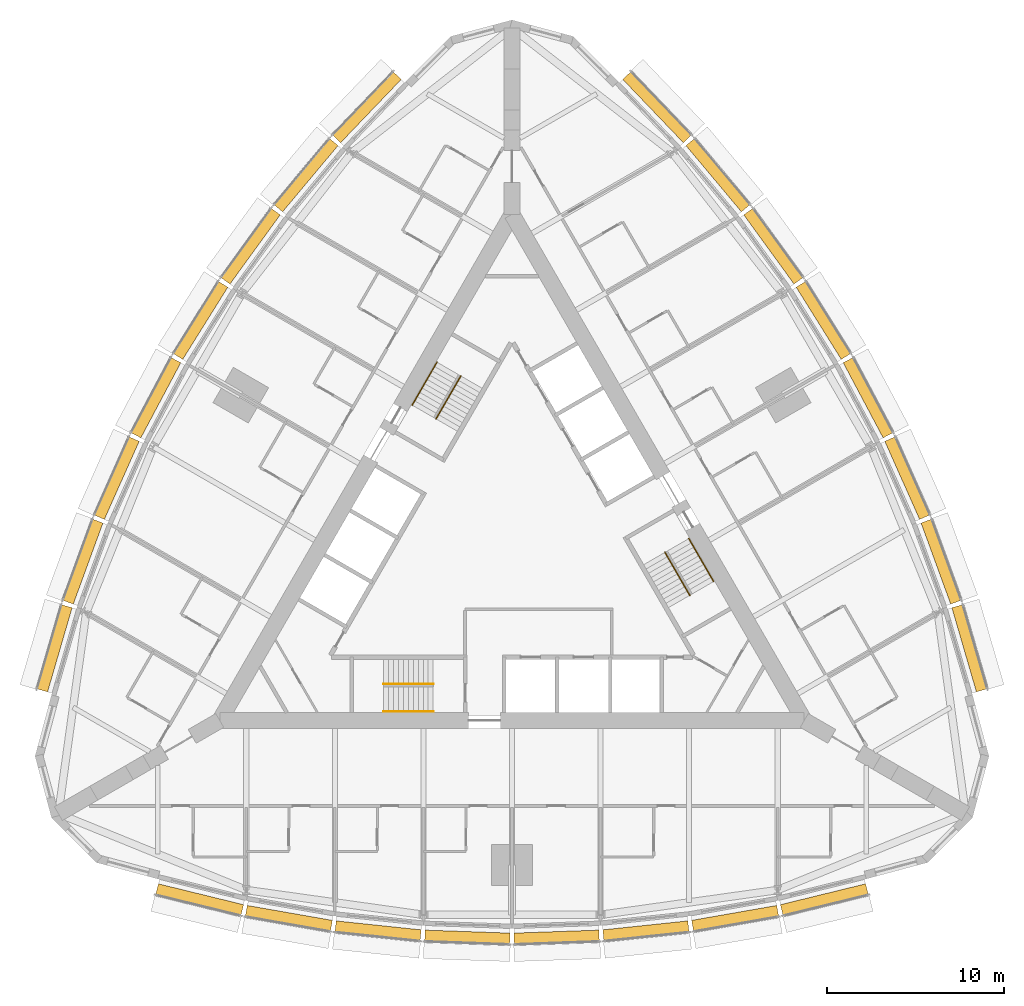
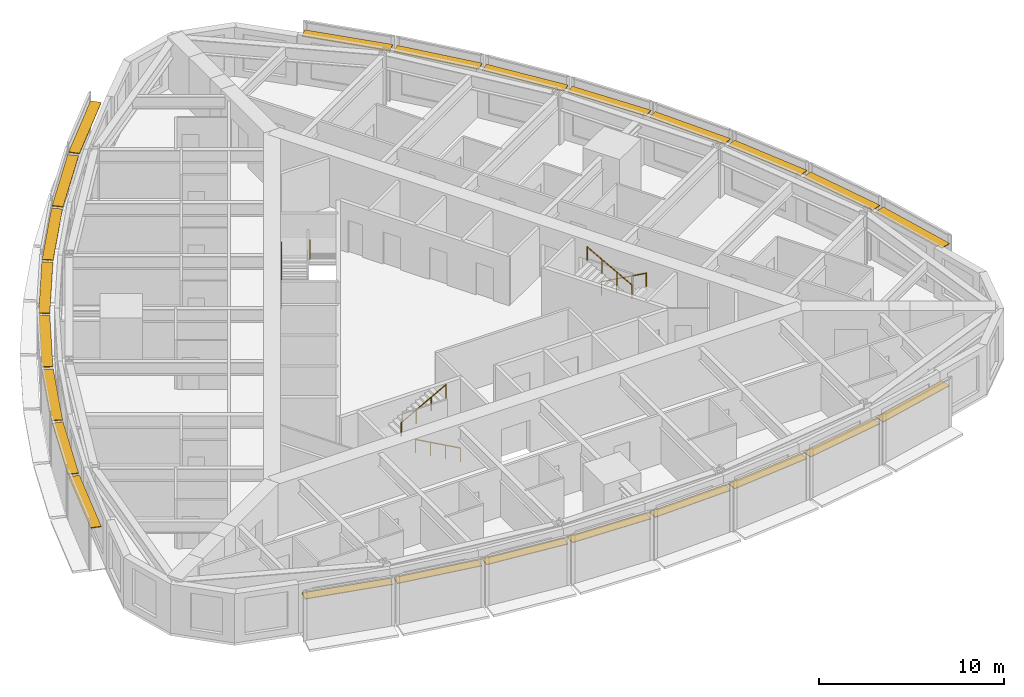
# One storey, part 14 of 14: 24 shading devices, 6 railings.
"""IFC4 building model written with IfcOpenShell, lengths in metres."""

from ifc_helpers import new_model, si_unit, direction, frame, origin, origin_2d, place, context, subcontext, project, spatial, rectangle, circle, extrude, material, type_object, element, save


model = new_model("IFC4")

# Units and contexts
model_context = context("Model", 3, precision=1e-05, world=origin(), true_north=direction((0.0, 1.0)))
body_context = subcontext(model_context, "Body", "Model", "MODEL_VIEW")
ifc_project = project(units=[si_unit("LENGTHUNIT", "METRE"), si_unit("AREAUNIT", "SQUARE_METRE"), si_unit("VOLUMEUNIT", "CUBIC_METRE"), si_unit("PLANEANGLEUNIT", "RADIAN"), si_unit("MASSUNIT", "GRAM", prefix="KILO")], contexts=[model_context])

# Site, building, storey
site_placement = place(None, origin())
site = spatial("IfcSite", under=ifc_project, at=site_placement, CompositionType="ELEMENT")
building_placement = place(site_placement, origin())
building = spatial("IfcBuilding", under=site, at=building_placement, Name="Trikona Tower", CompositionType="ELEMENT")
storey_placement = place(building_placement, frame((0.0, 0.0, 118.10009765625)))
storey = spatial("IfcBuildingStorey", under=building, at=storey_placement, Name="L30", CompositionType="ELEMENT", Elevation=118.10009765625)

# Shading devices
ifc_material_1 = material(Name="Aluminium louvre blade, pale anodised", Category="aluminium")
shading_device_type = type_object("IfcShadingDeviceType", Name="Cavity louvre 600", PredefinedType="USERDEFINED", material=ifc_material_1)
shading_device_1_placement = place(storey_placement, frame((-17.63330078125, -19.631591796875, 2.77490234375), z_axis=(0.0, 0.0, 1.0), x_axis=(0.971274411564, -0.237962218516, 0.0)))
element("IfcShadingDevice", 1, at=shading_device_1_placement, inside=storey, type_object=shading_device_type, Name="Cavity louvre L30-00", ObjectType="LOUVRE", PredefinedType="USERDEFINED", context=body_context, shape_type="SweptSolid", body=[
    extrude(rectangle(XDim=4.947998046875, YDim=0.60009765625, at=origin_2d()), origin(), (0.0, 0.0, 1.0), 0.050048828125),
])
shading_device_2_placement = place(storey_placement, frame((-12.596435546875, -20.689208984375, 2.77490234375), z_axis=(0.0, 0.0, 1.0), x_axis=(0.985030604067, -0.172379549401, 0.0)))
element("IfcShadingDevice", 2, at=shading_device_2_placement, inside=storey, type_object=shading_device_type, Name="Cavity louvre L30-01", ObjectType="LOUVRE", PredefinedType="USERDEFINED", context=body_context, shape_type="SweptSolid", body=[
    extrude(rectangle(XDim=4.8759765625, YDim=0.60009765625, at=origin_2d()), origin(), (0.0, 0.0, 1.0), 0.050048828125),
])
shading_device_3_placement = place(storey_placement, frame((-7.55859375, -21.39453125, 2.77490234375), z_axis=(0.0, 0.0, 1.0), x_axis=(0.994532653854, -0.104426052392, 0.0)))
element("IfcShadingDevice", 3, at=shading_device_3_placement, inside=storey, type_object=shading_device_type, Name="Cavity louvre L30-02", ObjectType="LOUVRE", PredefinedType="USERDEFINED", context=body_context, shape_type="SweptSolid", body=[
    extrude(rectangle(XDim=4.827392578125, YDim=0.60009765625, at=origin_2d()), origin(), (0.0, 0.0, 1.0), 0.050048828125),
])
for number, where, z_axis, x_axis, name in (
    (4, (-2.51953125, -21.747314453125, 2.77490234375), (0.0, 0.0, 1.0), (0.999388082937, -0.034977988567, 0.0), "Cavity louvre L30-03"),
    (5, (2.51953125, -21.747314453125, 2.77490234375), (0.0, 0.0, 1.0), (0.999388082937, 0.034977988567, 0.0), "Cavity louvre L30-04"),
):
    element("IfcShadingDevice", number, at=place(storey_placement, frame(where, z_axis=z_axis, x_axis=x_axis)), inside=storey, type_object=shading_device_type, Name=name, ObjectType="LOUVRE", PredefinedType="USERDEFINED", context=body_context, shape_type="SweptSolid", body=[
        extrude(rectangle(XDim=4.802978515625, YDim=0.60009765625, at=origin_2d()), origin(), (0.0, 0.0, 1.0), 0.050048828125),
    ])
shading_device_4_placement = place(storey_placement, frame((7.55859375, -21.39453125, 2.77490234375), z_axis=(0.0, 0.0, 1.0), x_axis=(0.994532653854, 0.104426052392, 0.0)))
element("IfcShadingDevice", 6, at=shading_device_4_placement, inside=storey, type_object=shading_device_type, Name="Cavity louvre L30-05", ObjectType="LOUVRE", PredefinedType="USERDEFINED", context=body_context, shape_type="SweptSolid", body=[
    extrude(rectangle(XDim=4.827392578125, YDim=0.60009765625, at=origin_2d()), origin(), (0.0, 0.0, 1.0), 0.050048828125),
])
shading_device_5_placement = place(storey_placement, frame((12.596435546875, -20.689208984375, 2.77490234375), z_axis=(0.0, 0.0, 1.0), x_axis=(0.985030604067, 0.172379549401, 0.0)))
element("IfcShadingDevice", 7, at=shading_device_5_placement, inside=storey, type_object=shading_device_type, Name="Cavity louvre L30-06", ObjectType="LOUVRE", PredefinedType="USERDEFINED", context=body_context, shape_type="SweptSolid", body=[
    extrude(rectangle(XDim=4.8759765625, YDim=0.60009765625, at=origin_2d()), origin(), (0.0, 0.0, 1.0), 0.050048828125),
])
shading_device_6_placement = place(storey_placement, frame((17.63330078125, -19.631591796875, 2.77490234375), z_axis=(0.0, 0.0, 1.0), x_axis=(0.971274411564, 0.237962218516, 0.0)))
element("IfcShadingDevice", 8, at=shading_device_6_placement, inside=storey, type_object=shading_device_type, Name="Cavity louvre L30-07", ObjectType="LOUVRE", PredefinedType="USERDEFINED", context=body_context, shape_type="SweptSolid", body=[
    extrude(rectangle(XDim=4.947998046875, YDim=0.60009765625, at=origin_2d()), origin(), (0.0, 0.0, 1.0), 0.050048828125),
])
shading_device_7_placement = place(storey_placement, frame((25.818115234375, -5.455078125, 2.77490234375), z_axis=(0.0, 0.0, 1.0), x_axis=(-0.279554203664, 0.960129911634, 0.0)))
element("IfcShadingDevice", 9, at=shading_device_7_placement, inside=storey, type_object=shading_device_type, Name="Cavity louvre L30-12", ObjectType="LOUVRE", PredefinedType="USERDEFINED", context=body_context, shape_type="SweptSolid", body=[
    extrude(rectangle(XDim=4.94775390625, YDim=0.60009765625, at=origin_2d()), origin(), (0.0, 0.0, 1.0), 0.050048828125),
])
shading_device_8_placement = place(storey_placement, frame((24.2158203125, -0.564208984375, 2.77490234375), z_axis=(0.0, 0.0, 1.0), x_axis=(-0.343220397324, 0.939254895575, 0.0)))
element("IfcShadingDevice", 10, at=shading_device_8_placement, inside=storey, type_object=shading_device_type, Name="Cavity louvre L30-13", ObjectType="LOUVRE", PredefinedType="USERDEFINED", context=body_context, shape_type="SweptSolid", body=[
    extrude(rectangle(XDim=4.8759765625, YDim=0.60009765625, at=origin_2d()), origin(), (0.0, 0.0, 1.0), 0.050048828125),
])
shading_device_9_placement = place(storey_placement, frame((22.3076171875, 4.151611328125, 2.77490234375), z_axis=(0.0, 0.0, 1.0), x_axis=(-0.406843467615, 0.913497888809, 0.0)))
element("IfcShadingDevice", 11, at=shading_device_9_placement, inside=storey, type_object=shading_device_type, Name="Cavity louvre L30-14", ObjectType="LOUVRE", PredefinedType="USERDEFINED", context=body_context, shape_type="SweptSolid", body=[
    extrude(rectangle(XDim=4.827392578125, YDim=0.60009765625, at=origin_2d()), origin(), (0.0, 0.0, 1.0), 0.050048828125),
])
for number, where, z_axis, x_axis, name in (
    (12, (20.093505859375, 8.691650390625, 2.77490234375), (0.0, 0.0, 1.0), (-0.469397591494, 0.882986920118, 0.0), "Cavity louvre L30-15"),
    (13, (17.573974609375, 13.0556640625, 2.77490234375), (0.0, 0.0, 1.0), (-0.529994748414, 0.848000923734, 0.0), "Cavity louvre L30-16"),
):
    element("IfcShadingDevice", number, at=place(storey_placement, frame(where, z_axis=z_axis, x_axis=x_axis)), inside=storey, type_object=shading_device_type, Name=name, ObjectType="LOUVRE", PredefinedType="USERDEFINED", context=body_context, shape_type="SweptSolid", body=[
        extrude(rectangle(XDim=4.802978515625, YDim=0.60009765625, at=origin_2d()), origin(), (0.0, 0.0, 1.0), 0.050048828125),
    ])
shading_device_10_placement = place(storey_placement, frame((14.7490234375, 17.2431640625, 2.77490234375), z_axis=(0.0, 0.0, 1.0), x_axis=(-0.587686407834, 0.809088799853, 0.0)))
element("IfcShadingDevice", 14, at=shading_device_10_placement, inside=storey, type_object=shading_device_type, Name="Cavity louvre L30-17", ObjectType="LOUVRE", PredefinedType="USERDEFINED", context=body_context, shape_type="SweptSolid", body=[
    extrude(rectangle(XDim=4.827392578125, YDim=0.60009765625, at=origin_2d()), origin(), (0.0, 0.0, 1.0), 0.050048828125),
])
shading_device_11_placement = place(storey_placement, frame((11.619140625, 21.253662109375, 2.77490234375), z_axis=(0.0, 0.0, 1.0), x_axis=(-0.641807063101, 0.766866151133, 0.0)))
element("IfcShadingDevice", 15, at=shading_device_11_placement, inside=storey, type_object=shading_device_type, Name="Cavity louvre L30-18", ObjectType="LOUVRE", PredefinedType="USERDEFINED", context=body_context, shape_type="SweptSolid", body=[
    extrude(rectangle(XDim=4.8759765625, YDim=0.60009765625, at=origin_2d()), origin(), (0.0, 0.0, 1.0), 0.050048828125),
])
for number, where, z_axis, x_axis, name in (
    (16, (8.184814453125, 25.086669921875, 2.77490234375), (0.0, 0.0, 1.0), (-0.691723573819, 0.722162376078, 0.0), "Cavity louvre L30-19"),
    (17, (-8.184814453125, 25.086669921875, 2.77490234375), (0.0, 0.0, 1.0), (-0.691723573819, -0.722162376078, 0.0), "Cavity louvre L30-24"),
):
    element("IfcShadingDevice", number, at=place(storey_placement, frame(where, z_axis=z_axis, x_axis=x_axis)), inside=storey, type_object=shading_device_type, Name=name, ObjectType="LOUVRE", PredefinedType="USERDEFINED", context=body_context, shape_type="SweptSolid", body=[
        extrude(rectangle(XDim=4.947998046875, YDim=0.60009765625, at=origin_2d()), origin(), (0.0, 0.0, 1.0), 0.050048828125),
    ])
shading_device_12_placement = place(storey_placement, frame((-11.619140625, 21.253662109375, 2.77490234375), z_axis=(0.0, 0.0, 1.0), x_axis=(-0.641807063101, -0.766866151133, 0.0)))
element("IfcShadingDevice", 18, at=shading_device_12_placement, inside=storey, type_object=shading_device_type, Name="Cavity louvre L30-25", ObjectType="LOUVRE", PredefinedType="USERDEFINED", context=body_context, shape_type="SweptSolid", body=[
    extrude(rectangle(XDim=4.8759765625, YDim=0.60009765625, at=origin_2d()), origin(), (0.0, 0.0, 1.0), 0.050048828125),
])
shading_device_13_placement = place(storey_placement, frame((-14.7490234375, 17.2431640625, 2.77490234375), z_axis=(0.0, 0.0, 1.0), x_axis=(-0.587686407834, -0.809088799853, 0.0)))
element("IfcShadingDevice", 19, at=shading_device_13_placement, inside=storey, type_object=shading_device_type, Name="Cavity louvre L30-26", ObjectType="LOUVRE", PredefinedType="USERDEFINED", context=body_context, shape_type="SweptSolid", body=[
    extrude(rectangle(XDim=4.827392578125, YDim=0.60009765625, at=origin_2d()), origin(), (0.0, 0.0, 1.0), 0.050048828125),
])
for number, where, z_axis, x_axis, name in (
    (20, (-17.573974609375, 13.0556640625, 2.77490234375), (0.0, 0.0, 1.0), (-0.529994748414, -0.848000923734, 0.0), "Cavity louvre L30-27"),
    (21, (-20.093505859375, 8.691650390625, 2.77490234375), (0.0, 0.0, 1.0), (-0.469397591494, -0.882986920118, 0.0), "Cavity louvre L30-28"),
):
    element("IfcShadingDevice", number, at=place(storey_placement, frame(where, z_axis=z_axis, x_axis=x_axis)), inside=storey, type_object=shading_device_type, Name=name, ObjectType="LOUVRE", PredefinedType="USERDEFINED", context=body_context, shape_type="SweptSolid", body=[
        extrude(rectangle(XDim=4.802978515625, YDim=0.60009765625, at=origin_2d()), origin(), (0.0, 0.0, 1.0), 0.050048828125),
    ])
shading_device_14_placement = place(storey_placement, frame((-22.3076171875, 4.151611328125, 2.77490234375), z_axis=(0.0, 0.0, 1.0), x_axis=(-0.406843467615, -0.913497888809, 0.0)))
element("IfcShadingDevice", 22, at=shading_device_14_placement, inside=storey, type_object=shading_device_type, Name="Cavity louvre L30-29", ObjectType="LOUVRE", PredefinedType="USERDEFINED", context=body_context, shape_type="SweptSolid", body=[
    extrude(rectangle(XDim=4.827392578125, YDim=0.60009765625, at=origin_2d()), origin(), (0.0, 0.0, 1.0), 0.050048828125),
])
shading_device_15_placement = place(storey_placement, frame((-24.2158203125, -0.564208984375, 2.77490234375), z_axis=(0.0, 0.0, 1.0), x_axis=(-0.343220397324, -0.939254895575, 0.0)))
element("IfcShadingDevice", 23, at=shading_device_15_placement, inside=storey, type_object=shading_device_type, Name="Cavity louvre L30-30", ObjectType="LOUVRE", PredefinedType="USERDEFINED", context=body_context, shape_type="SweptSolid", body=[
    extrude(rectangle(XDim=4.8759765625, YDim=0.60009765625, at=origin_2d()), origin(), (0.0, 0.0, 1.0), 0.050048828125),
])
shading_device_16_placement = place(storey_placement, frame((-25.818115234375, -5.455078125, 2.77490234375), z_axis=(0.0, 0.0, 1.0), x_axis=(-0.279554203664, -0.960129911634, 0.0)))
element("IfcShadingDevice", 24, at=shading_device_16_placement, inside=storey, type_object=shading_device_type, Name="Cavity louvre L30-31", ObjectType="LOUVRE", PredefinedType="USERDEFINED", context=body_context, shape_type="SweptSolid", body=[
    extrude(rectangle(XDim=4.94775390625, YDim=0.60009765625, at=origin_2d()), origin(), (0.0, 0.0, 1.0), 0.050048828125),
])

# Railings
ifc_material_2 = material(Name="Stainless steel handrail", Category="steel")
railing_type = type_object("IfcRailingType", Name="Stair handrail", PredefinedType="HANDRAIL", material=ifc_material_2)
railing_1_placement = place(storey_placement, frame((-4.449951171875, -9.016357421875, 0.154296875)))
element("IfcRailing", 25, at=railing_1_placement, inside=storey, type_object=railing_type, Name="Stair handrail A L30 1", PredefinedType="HANDRAIL", context=body_context, shape_type="SweptSolid", body=[
    extrude(circle(Radius=0.02392578125, at=origin_2d()), frame((0.0, 0.0, 0.8759765625), z_axis=(-0.875471895205, 0.0, 0.483269035534), x_axis=(0.0, -1.0, 0.0)), (0.0, 0.0, 1.0), 3.1982421875),
    extrude(circle(Radius=0.02099609375, at=origin_2d()), origin(), (0.0, 0.0, 1.0), 0.851806640625),
    extrude(circle(Radius=0.02099609375, at=origin_2d()), frame((-0.933349609375, 0.0, 0.51513671875)), (0.0, 0.0, 1.0), 0.851806640625),
    extrude(circle(Radius=0.02099609375, at=origin_2d()), frame((-1.86669921875, 0.0, 1.030517578125)), (0.0, 0.0, 1.0), 0.851806640625),
    extrude(circle(Radius=0.02099609375, at=origin_2d()), frame((-2.800048828125, 0.0, 1.545654296875)), (0.0, 0.0, 1.0), 0.851806640625),
])
railing_2_placement = place(storey_placement, frame((-7.25, -7.46630859375, 1.8544921875)))
element("IfcRailing", 26, at=railing_2_placement, inside=storey, type_object=railing_type, Name="Stair handrail A L30 2", PredefinedType="HANDRAIL", context=body_context, shape_type="SweptSolid", body=[
    extrude(circle(Radius=0.02392578125, at=origin_2d()), frame((0.0, 0.0, 0.8759765625), z_axis=(0.875504190374, 0.0, 0.483210526207), x_axis=(0.0, 1.0, 0.0)), (0.0, 0.0, 1.0), 3.1982421875),
    extrude(circle(Radius=0.02099609375, at=origin_2d()), origin(), (0.0, 0.0, 1.0), 0.851806640625),
    extrude(circle(Radius=0.02099609375, at=origin_2d()), frame((0.933349609375, 0.0, 0.51513671875)), (0.0, 0.0, 1.0), 0.851806640625),
    extrude(circle(Radius=0.02099609375, at=origin_2d()), frame((1.86669921875, 0.0, 1.0302734375)), (0.0, 0.0, 1.0), 0.851806640625),
    extrude(circle(Radius=0.02099609375, at=origin_2d()), frame((2.800048828125, 0.0, 1.54541015625)), (0.0, 0.0, 1.0), 0.851806640625),
])
railing_3_placement = place(storey_placement, frame((9.9833984375, 0.740966796875, 0.154296875)))
element("IfcRailing", 27, at=railing_3_placement, inside=storey, type_object=railing_type, Name="Stair handrail B L30 1", PredefinedType="HANDRAIL", context=body_context, shape_type="SweptSolid", body=[
    extrude(circle(Radius=0.02392578125, at=origin_2d()), frame((0.0, 0.0, 0.8759765625), z_axis=(0.437691042731, -0.758211567396, 0.483261596012), x_axis=(0.866056369097, 0.49994636267, 0.0)), (0.0, 0.0, 1.0), 3.198486328125),
    extrude(circle(Radius=0.02099609375, at=origin_2d()), origin(), (0.0, 0.0, 1.0), 0.851806640625),
    extrude(circle(Radius=0.02099609375, at=origin_2d()), frame((0.466552734375, -0.808349609375, 0.51513671875)), (0.0, 0.0, 1.0), 0.851806640625),
    extrude(circle(Radius=0.02099609375, at=origin_2d()), frame((0.933349609375, -1.61669921875, 1.030517578125)), (0.0, 0.0, 1.0), 0.851806640625),
    extrude(circle(Radius=0.02099609375, at=origin_2d()), frame((1.39990234375, -2.425048828125, 1.545654296875)), (0.0, 0.0, 1.0), 0.851806640625),
])
railing_4_placement = place(storey_placement, frame((10.041015625, -2.458984375, 1.8544921875)))
element("IfcRailing", 28, at=railing_4_placement, inside=storey, type_object=railing_type, Name="Stair handrail B L30 2", PredefinedType="HANDRAIL", context=body_context, shape_type="SweptSolid", body=[
    extrude(circle(Radius=0.02392578125, at=origin_2d()), frame((0.0, 0.0, 0.8759765625), z_axis=(-0.437707188162, 0.758239536103, 0.483203087036), x_axis=(-0.866056369097, -0.49994636267, 0.0)), (0.0, 0.0, 1.0), 3.1982421875),
    extrude(circle(Radius=0.02099609375, at=origin_2d()), origin(), (0.0, 0.0, 1.0), 0.851806640625),
    extrude(circle(Radius=0.02099609375, at=origin_2d()), frame((-0.466552734375, 0.808349609375, 0.51513671875)), (0.0, 0.0, 1.0), 0.851806640625),
    extrude(circle(Radius=0.02099609375, at=origin_2d()), frame((-0.933349609375, 1.61669921875, 1.0302734375)), (0.0, 0.0, 1.0), 0.851806640625),
    extrude(circle(Radius=0.02099609375, at=origin_2d()), frame((-1.39990234375, 2.425048828125, 1.54541015625)), (0.0, 0.0, 1.0), 0.851806640625),
])
railing_5_placement = place(storey_placement, frame((-5.63330078125, 8.275390625, 0.154296875)))
element("IfcRailing", 29, at=railing_5_placement, inside=storey, type_object=railing_type, Name="Stair handrail C L30 1", PredefinedType="HANDRAIL", context=body_context, shape_type="SweptSolid", body=[
    extrude(circle(Radius=0.02392578125, at=origin_2d()), frame((0.0, 0.0, 0.8759765625), z_axis=(0.437716375571, 0.758179114435, 0.4832895664), x_axis=(-0.866034573852, 0.49998411664, 0.0)), (0.0, 0.0, 1.0), 3.1982421875),
    extrude(circle(Radius=0.02099609375, at=origin_2d()), origin(), (0.0, 0.0, 1.0), 0.851806640625),
    extrude(circle(Radius=0.02099609375, at=origin_2d()), frame((0.466552734375, 0.808349609375, 0.51513671875)), (0.0, 0.0, 1.0), 0.851806640625),
    extrude(circle(Radius=0.02099609375, at=origin_2d()), frame((0.933349609375, 1.616455078125, 1.030517578125)), (0.0, 0.0, 1.0), 0.851806640625),
    extrude(circle(Radius=0.02099609375, at=origin_2d()), frame((1.39990234375, 2.4248046875, 1.545654296875)), (0.0, 0.0, 1.0), 0.851806640625),
])
railing_6_placement = place(storey_placement, frame((-2.89111328125, 9.92529296875, 1.8544921875)))
element("IfcRailing", 30, at=railing_6_placement, inside=storey, type_object=railing_type, Name="Stair handrail C L30 2", PredefinedType="HANDRAIL", context=body_context, shape_type="SweptSolid", body=[
    extrude(circle(Radius=0.02392578125, at=origin_2d()), frame((0.0, 0.0, 0.8759765625), z_axis=(-0.437707188162, -0.758239536103, 0.483203087036), x_axis=(0.866056369097, -0.49994636267, 0.0)), (0.0, 0.0, 1.0), 3.1982421875),
    extrude(circle(Radius=0.02099609375, at=origin_2d()), origin(), (0.0, 0.0, 1.0), 0.851806640625),
    extrude(circle(Radius=0.02099609375, at=origin_2d()), frame((-0.466552734375, -0.808349609375, 0.51513671875)), (0.0, 0.0, 1.0), 0.851806640625),
    extrude(circle(Radius=0.02099609375, at=origin_2d()), frame((-0.933349609375, -1.61669921875, 1.0302734375)), (0.0, 0.0, 1.0), 0.851806640625),
    extrude(circle(Radius=0.02099609375, at=origin_2d()), frame((-1.39990234375, -2.425048828125, 1.54541015625)), (0.0, 0.0, 1.0), 0.851806640625),
])

save(model, "model.ifc")
